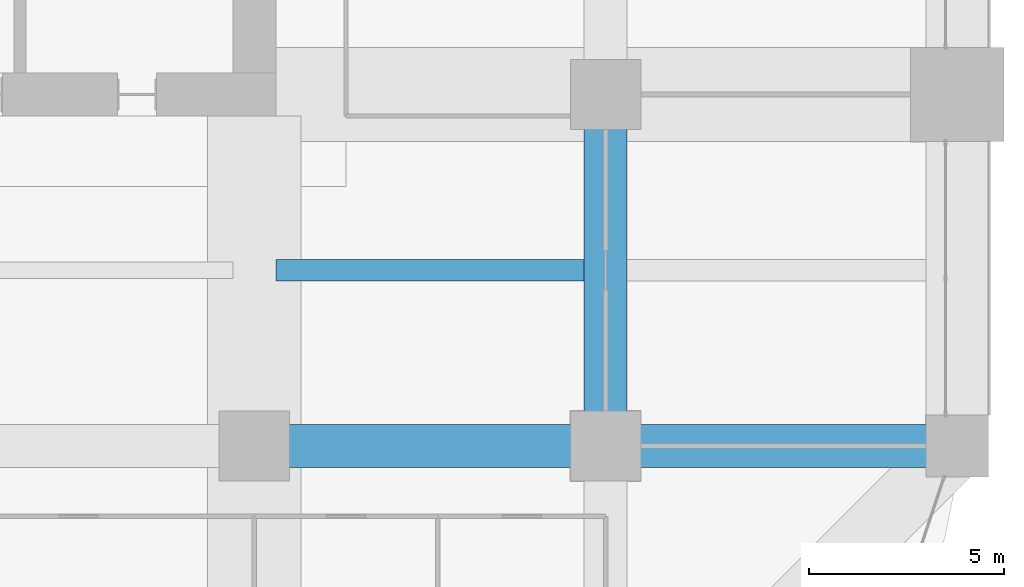
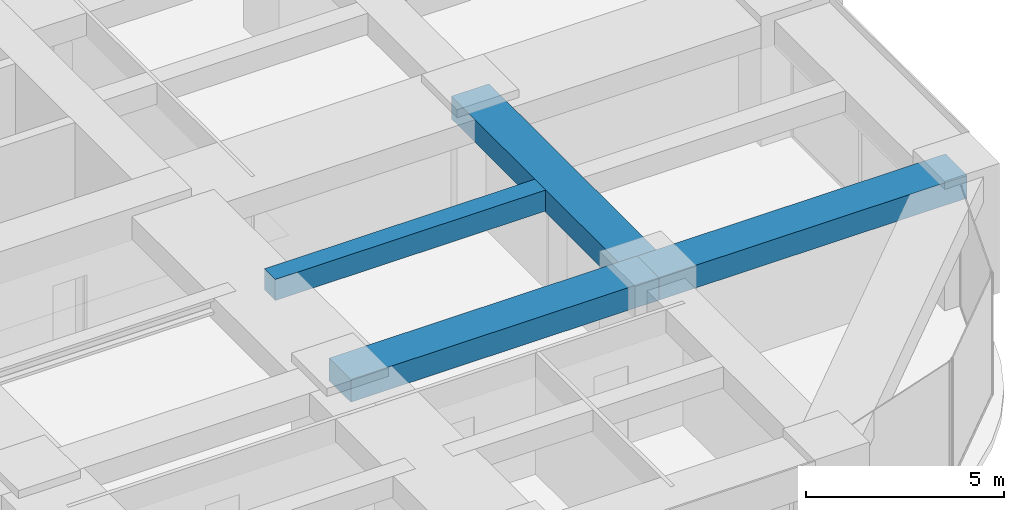
# One storey, part 18 of 43: 4 beams.
"""IFC4 building model written with IfcOpenShell, lengths in metres."""

from ifc_helpers import new_model, si_unit, direction, frame, origin, origin_2d, place, context, subcontext, project, spatial, rectangle, extrude, material, material_profile, profile_set, type_object, element, save


model = new_model("IFC4")

# Units and contexts
model_context = context("Model", 3, precision=1e-05, world=origin(), true_north=direction((0.0, 1.0)))
body_context = subcontext(model_context, "Body", "Model", "MODEL_VIEW")
ifc_project = project(units=[si_unit("LENGTHUNIT", "METRE"), si_unit("AREAUNIT", "SQUARE_METRE"), si_unit("VOLUMEUNIT", "CUBIC_METRE"), si_unit("PLANEANGLEUNIT", "RADIAN"), si_unit("MASSUNIT", "GRAM", prefix="KILO")], contexts=[model_context])

# Site, building, storey
site_placement = place(None, origin())
site = spatial("IfcSite", under=ifc_project, at=site_placement, CompositionType="ELEMENT")
building_placement = place(site_placement, origin())
building = spatial("IfcBuilding", under=site, at=building_placement, Name="Zorevar Civic Tower", CompositionType="ELEMENT")
storey_placement = place(building_placement, frame((0.0, 0.0, 141.0)))
storey = spatial("IfcBuildingStorey", under=building, at=storey_placement, Name="L34", CompositionType="ELEMENT", Elevation=141.0)

# Beams
ifc_material_1 = material(Name="Concrete C50/60", Category="concrete")
ifc_material_profile_1 = material_profile(ifc_material_1, rectangle(XDim=1.10009765625, YDim=0.699951171875, at=origin_2d()), Name="RC 1100x700")
ifc_profile_set_1 = profile_set([ifc_material_profile_1], Name="Concrete C50/60")
beam_type_1 = type_object("IfcBeamType", Name="Beam RC 1100x700", PredefinedType="BEAM", material=ifc_profile_set_1)
for number, where, z_axis, x_axis, name in (
    (1, (45.0, 9.0, 3.39990234375), (1.0, 0.0, 0.0), (0.0, 1.0, 0.0), "Girder L35"),
    (2, (54.0, 9.0, 3.39990234375), (1.0, 0.0, 0.0), (0.0, 1.0, 0.0), "Girder L35"),
    (3, (54.0, 9.0, 3.39990234375), (0.0, 1.0, 0.0), (-1.0, 0.0, 0.0), "Girder L35"),
):
    element("IfcBeam", number, at=place(storey_placement, frame(where, z_axis=z_axis, x_axis=x_axis)), inside=storey, type_object=beam_type_1, Name=name, PredefinedType="BEAM", context=body_context, shape_type="SweptSolid", body=[
        extrude(rectangle(XDim=1.10009765625, YDim=0.699951171875, at=origin_2d()), origin(), (0.0, 0.0, 1.0), 9.0),
    ])
ifc_material_2 = material(Name="Concrete C50/60", Category="concrete")
ifc_material_profile_2 = material_profile(ifc_material_2, rectangle(XDim=0.550048828125, YDim=0.64990234375, at=origin_2d()), Name="RC 550x650")
ifc_profile_set_2 = profile_set([ifc_material_profile_2], Name="Concrete C50/60")
beam_type_2 = type_object("IfcBeamType", Name="Beam RC 550x650", PredefinedType="BEAM", material=ifc_profile_set_2)
beam_placement = place(storey_placement, frame((45.550048828125, 13.5, 3.425048828125), z_axis=(1.0, 0.0, 0.0), x_axis=(0.0, 1.0, 0.0)))
element("IfcBeam", 4, at=beam_placement, inside=storey, type_object=beam_type_2, Name="Secondary beam L35", PredefinedType="BEAM", context=body_context, shape_type="SweptSolid", body=[
    extrude(rectangle(XDim=0.550048828125, YDim=0.64990234375, at=origin_2d()), origin(), (0.0, 0.0, 1.0), 7.89990234375),
])

save(model, "model.ifc")
